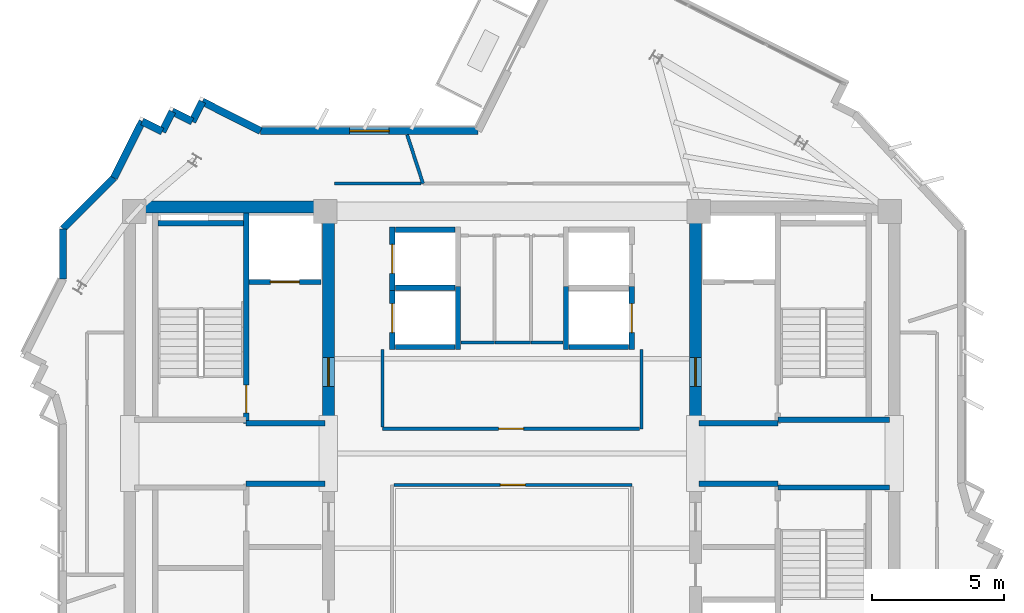
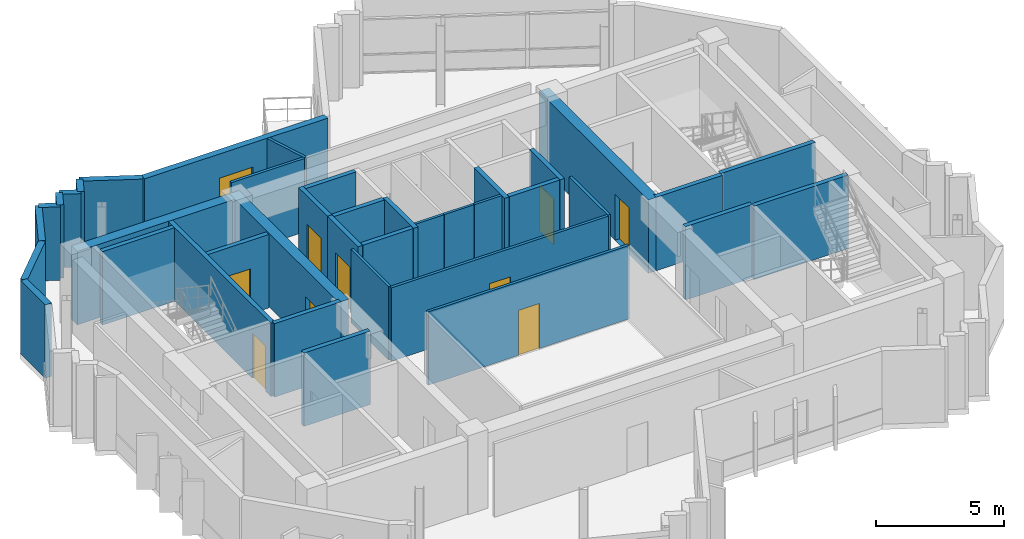
# One storey, part 7 of 11: 39 walls, 9 doors, 1 window, 10 openings.
"""IFC4 building model written with IfcOpenShell, lengths in metres."""

from ifc_helpers import new_model, si_unit, direction, frame, frame_2d, origin, place, context, subcontext, project, spatial, rectangle, extrude, source, transform, mapped, material, layer, layer_set, type_object, element, fill, save


model = new_model("IFC4")

# Units and contexts
model_context = context("Model", 3, precision=1e-05, world=origin(), true_north=direction((0.0, 1.0)))
body_context = subcontext(model_context, "Body", "Model", "MODEL_VIEW")
ifc_project = project(units=[si_unit("LENGTHUNIT", "METRE"), si_unit("AREAUNIT", "SQUARE_METRE"), si_unit("VOLUMEUNIT", "CUBIC_METRE"), si_unit("PLANEANGLEUNIT", "RADIAN"), si_unit("MASSUNIT", "GRAM", prefix="KILO")], contexts=[model_context])

# Site, building, storey
site_placement = place(None, origin())
site = spatial("IfcSite", under=ifc_project, at=site_placement, CompositionType="ELEMENT")
building_placement = place(site_placement, origin())
building = spatial("IfcBuilding", under=site, at=building_placement, Name="Zahravan Cultural Tower", CompositionType="ELEMENT")
storey_placement = place(building_placement, frame((0.0, 0.0, 353.550048828125)))
storey = spatial("IfcBuildingStorey", under=building, at=storey_placement, Name="L86", CompositionType="ELEMENT", Elevation=353.550048828125)

# Wall, opening, door
ifc_material_1 = material(Name="Concrete C50/60", Category="concrete")
ifc_layer_1 = layer(ifc_material_1, 0.449951171875)
ifc_layer_set_1 = layer_set([ifc_layer_1], Name="Concrete C50/60")
wall_type_1 = type_object("IfcWallType", Name="CW-SHEAR-450-C50", PredefinedType="SHEAR", material=ifc_layer_set_1)
wall_1_placement = place(storey_placement, frame((29.02490234375, 28.050048828125, 0.0), z_axis=(0.0, 0.0, 1.0), x_axis=(0.0, 1.0, 0.0)))
wall_1 = element("IfcWall", 1, at=wall_1_placement, inside=storey, type_object=wall_type_1, Name="L86 Core Shear Wall CW-W-EN-L86", PredefinedType="SHEAR", context=body_context, shape_type="SweptSolid", body=[
    extrude(rectangle(XDim=8.550048828125, YDim=0.449951171875, at=frame_2d((4.27490234375, 0.0))), origin(), (0.0, 0.0, 1.0), 3.5),
])
opening_1_placement = place(wall_1_placement, frame((1.5, 0.0, 0.0)))
opening_1 = element("IfcOpeningElement", 2, at=opening_1_placement, cuts=wall_1, Name="Opening D-L86-06", PredefinedType="OPENING", context=body_context, shape_type="SweptSolid", body=[
    extrude(rectangle(XDim=1.10009765625, YDim=2.199951171875, at=frame_2d((0.550048828125, 1.10009765625))), frame((0.0, 0.23486328125, 0.0), z_axis=(0.0, -1.0, 0.0), x_axis=(1.0, 0.0, 0.0)), (0.0, 0.0, 1.0), 0.469970703125),
])
ifc_material_2 = material(Name="Steel ASTM A572 Grade 50", Category="steel")
door_type_1 = type_object("IfcDoorType", Name="DR-LOBBY-1100", OperationType="NOTDEFINED", PredefinedType="DOOR", material=ifc_material_2)
shared_shape_1 = source(origin(), body_context, "Body", "SweptSolid", [
    extrude(rectangle(XDim=1.10009765625, YDim=2.199951171875, at=frame_2d((0.550048828125, 1.10009765625))), frame((0.0, 0.02490234375, 0.0), z_axis=(0.0, -1.0, 0.0), x_axis=(1.0, 0.0, 0.0)), (0.0, 0.0, 1.0), 0.050048828125),
])
door_1_placement = place(opening_1_placement, origin())
door_1 = element("IfcDoor", 3, at=door_1_placement, inside=storey, type_object=door_type_1, Name="L86 Door D-L86-06", OperationType="SINGLE_SWING_RIGHT", OverallHeight=2.199951171875, OverallWidth=1.10009765625, PredefinedType="DOOR", context=body_context, shape_type="MappedRepresentation", body=[
    mapped(shared_shape_1, transform((0.0, 0.0, 0.0), x_axis=(1.0, 0.0, 0.0), y_axis=(0.0, 1.0, 0.0), z_axis=(0.0, 0.0, 1.0), scale=1.0)),
])
fill(opening_1, door_1)

wall_2_placement = place(storey_placement, frame((42.97509765625, 28.050048828125, 0.0), z_axis=(0.0, 0.0, 1.0), x_axis=(0.0, 1.0, 0.0)))
wall_2 = element("IfcWall", 4, at=wall_2_placement, inside=storey, type_object=wall_type_1, Name="L86 Core Shear Wall CW-E-WN-L86", PredefinedType="SHEAR", context=body_context, shape_type="SweptSolid", body=[
    extrude(rectangle(XDim=8.550048828125, YDim=0.449951171875, at=frame_2d((4.27490234375, 0.0))), origin(), (0.0, 0.0, 1.0), 3.5),
])
opening_2_placement = place(wall_2_placement, frame((1.5, 0.0, 0.0)))
opening_2 = element("IfcOpeningElement", 5, at=opening_2_placement, cuts=wall_2, Name="Opening D-L86-07", PredefinedType="OPENING", context=body_context, shape_type="SweptSolid", body=[
    extrude(rectangle(XDim=1.10009765625, YDim=2.199951171875, at=frame_2d((0.550048828125, 1.10009765625))), frame((0.0, 0.23486328125, 0.0), z_axis=(0.0, -1.0, 0.0), x_axis=(1.0, 0.0, 0.0)), (0.0, 0.0, 1.0), 0.469970703125),
])
door_2_placement = place(opening_2_placement, origin())
door_2 = element("IfcDoor", 6, at=door_2_placement, inside=storey, type_object=door_type_1, Name="L86 Door D-L86-07", OperationType="SINGLE_SWING_LEFT", OverallHeight=2.199951171875, OverallWidth=1.10009765625, PredefinedType="DOOR", context=body_context, shape_type="MappedRepresentation", body=[
    mapped(shared_shape_1, transform((0.0, 0.0, 0.0), x_axis=(1.0, 0.0, 0.0), y_axis=(0.0, 1.0, 0.0), z_axis=(0.0, 0.0, 1.0), scale=1.0)),
])
fill(opening_2, door_2)

# Wall, opening, window
ifc_material_3 = material(Name="Precast concrete C40/50", Category="concrete")
ifc_layer_2 = layer(ifc_material_3, 0.280029296875)
ifc_layer_set_2 = layer_set([ifc_layer_2], Name="Precast concrete C40/50")
wall_type_2 = type_object("IfcWallType", Name="EW-TC-280", PredefinedType="SOLIDWALL", material=ifc_layer_set_2)
wall_3_placement = place(storey_placement, frame((26.4462890625, 39.260009765625, 0.0), z_axis=(0.0, 0.0, 1.0), x_axis=(1.0, 0.0, 0.0)))
wall_3 = element("IfcWall", 7, at=wall_3_placement, inside=storey, type_object=wall_type_2, Name="L86 Exterior Masonry Frame Wall 46", PredefinedType="SOLIDWALL", context=body_context, shape_type="SweptSolid", body=[
    extrude(rectangle(XDim=8.264892578125, YDim=0.280029296875, at=frame_2d((4.13232421875, 0.0))), origin(), (0.0, 0.0, 1.0), 3.5),
])
opening_3_placement = place(wall_3_placement, frame((3.382080078125, 0.0, 0.85009765625)))
opening_3 = element("IfcOpeningElement", 8, at=opening_3_placement, cuts=wall_3, Name="Opening WN-03", PredefinedType="OPENING", context=body_context, shape_type="SweptSolid", body=[
    extrude(rectangle(XDim=1.5, YDim=1.5, at=frame_2d((0.75, 0.75))), frame((0.0, 0.14990234375, 0.0), z_axis=(0.0, -1.0, 0.0), x_axis=(1.0, 0.0, 0.0)), (0.0, 0.0, 1.0), 0.300048828125),
])
ifc_material_4 = material(Name="Low-E solar-control double glazing", Category="glass")
window_type = type_object("IfcWindowType", Name="WN-REC-1500X1500", PartitioningType="SINGLE_PANEL", PredefinedType="WINDOW", material=ifc_material_4)
shared_shape_2 = source(origin(), body_context, "Body", "SweptSolid", [
    extrude(rectangle(XDim=1.5, YDim=1.5, at=frame_2d((0.75, 0.75))), frame((0.0, 0.030029296875, 0.0), z_axis=(0.0, -1.0, 0.0), x_axis=(1.0, 0.0, 0.0)), (0.0, 0.0, 1.0), 0.06005859375),
])
window_placement = place(opening_3_placement, origin())
window = element("IfcWindow", 9, at=window_placement, inside=storey, type_object=window_type, Name="L86 Recessed Solar Window 07", OverallHeight=1.5, OverallWidth=1.5, PartitioningType="SINGLE_PANEL", PredefinedType="WINDOW", context=body_context, shape_type="MappedRepresentation", body=[
    mapped(shared_shape_2, transform((0.0, 0.0, 0.0), x_axis=(1.0, 0.0, 0.0), y_axis=(0.0, 1.0, 0.0), z_axis=(0.0, 0.0, 1.0), scale=1.0)),
])
fill(opening_3, window)

# Wall, opening, door
ifc_material_5 = material(Name="Gypsum plasterboard partition")
ifc_layer_3 = layer(ifc_material_5, 0.125)
ifc_layer_set_3 = layer_set([ifc_layer_3], Name="Gypsum plasterboard partition")
wall_type_3 = type_object("IfcWallType", Name="W-PART-125", PredefinedType="PARTITIONING", material=ifc_layer_set_3)
wall_4_placement = place(storey_placement, frame((40.8525390625, 27.93994140625, 0.0), z_axis=(0.0, 0.0, 1.0), x_axis=(-1.0, 0.0, 0.0)))
wall_4 = element("IfcWall", 10, at=wall_4_placement, inside=storey, type_object=wall_type_3, Name="L86 Interior Wall 057", PredefinedType="PARTITIONING", context=body_context, shape_type="SweptSolid", body=[
    extrude(rectangle(XDim=9.7724609375, YDim=0.125, at=frame_2d((4.88623046875, 0.0))), origin(), (0.0, 0.0, 1.0), 3.5),
])
opening_4_placement = place(wall_4_placement, frame((4.411376953125, 0.0, 0.0)))
opening_4 = element("IfcOpeningElement", 11, at=opening_4_placement, cuts=wall_4, Name="Opening D-L86-16", PredefinedType="OPENING", context=body_context, shape_type="SweptSolid", body=[
    extrude(rectangle(XDim=0.949951171875, YDim=2.14990234375, at=frame_2d((0.47509765625, 1.074951171875))), frame((0.0, 0.072509765625, 0.0), z_axis=(0.0, -1.0, 0.0), x_axis=(1.0, 0.0, 0.0)), (0.0, 0.0, 1.0), 0.14501953125),
])
ifc_material_6 = material(Name="Anodised bronze-aluminium mullion", Category="aluminium")
door_type_2 = type_object("IfcDoorType", Name="DR-ROOM-950", OperationType="NOTDEFINED", PredefinedType="DOOR", material=ifc_material_6)
shared_shape_3 = source(origin(), body_context, "Body", "SweptSolid", [
    extrude(rectangle(XDim=0.949951171875, YDim=2.14990234375, at=frame_2d((0.47509765625, 1.074951171875))), frame((0.0, 0.02490234375, 0.0), z_axis=(0.0, -1.0, 0.0), x_axis=(1.0, 0.0, 0.0)), (0.0, 0.0, 1.0), 0.050048828125),
])
door_3_placement = place(opening_4_placement, origin())
door_3 = element("IfcDoor", 12, at=door_3_placement, inside=storey, type_object=door_type_2, Name="L86 Door D-L86-16", OperationType="SINGLE_SWING_RIGHT", OverallHeight=2.14990234375, OverallWidth=0.949951171875, PredefinedType="DOOR", context=body_context, shape_type="MappedRepresentation", body=[
    mapped(shared_shape_3, transform((0.0, 0.0, 0.0), x_axis=(1.0, 0.0, 0.0), y_axis=(0.0, 1.0, 0.0), z_axis=(0.0, 0.0, 1.0), scale=1.0)),
])
fill(opening_4, door_3)

wall_5_placement = place(storey_placement, frame((31.507568359375, 25.81005859375, 0.0), z_axis=(0.0, 0.0, 1.0), x_axis=(1.0, 0.0, 0.0)))
wall_5 = element("IfcWall", 13, at=wall_5_placement, inside=storey, type_object=wall_type_3, Name="L86 Interior Wall 071", PredefinedType="PARTITIONING", context=body_context, shape_type="SweptSolid", body=[
    extrude(rectangle(XDim=9.052490234375, YDim=0.125, at=frame_2d((4.5263671875, 0.0))), origin(), (0.0, 0.0, 1.0), 3.5),
])
opening_5_placement = place(wall_5_placement, frame((4.05126953125, 0.0, 0.0)))
opening_5 = element("IfcOpeningElement", 14, at=opening_5_placement, cuts=wall_5, Name="Opening D-L86-12", PredefinedType="OPENING", context=body_context, shape_type="SweptSolid", body=[
    extrude(rectangle(XDim=0.949951171875, YDim=2.14990234375, at=frame_2d((0.47509765625, 1.074951171875))), frame((0.0, 0.072509765625, 0.0), z_axis=(0.0, -1.0, 0.0), x_axis=(1.0, 0.0, 0.0)), (0.0, 0.0, 1.0), 0.14501953125),
])
door_4_placement = place(opening_5_placement, origin())
door_4 = element("IfcDoor", 15, at=door_4_placement, inside=storey, type_object=door_type_2, Name="L86 Door D-L86-12", OperationType="SINGLE_SWING_RIGHT", OverallHeight=2.14990234375, OverallWidth=0.949951171875, PredefinedType="DOOR", context=body_context, shape_type="MappedRepresentation", body=[
    mapped(shared_shape_3, transform((0.0, 0.0, 0.0), x_axis=(1.0, 0.0, 0.0), y_axis=(0.0, 1.0, 0.0), z_axis=(0.0, 0.0, 1.0), scale=1.0)),
])
fill(opening_5, door_4)

ifc_material_7 = material(Name="Concrete C45/55", Category="concrete")
ifc_layer_4 = layer(ifc_material_7, 0.199951171875)
ifc_layer_set_4 = layer_set([ifc_layer_4], Name="Concrete C45/55")
wall_type_4 = type_object("IfcWallType", Name="W-SHAFT-200", PredefinedType="SOLIDWALL", material=ifc_layer_set_4)
wall_6_placement = place(storey_placement, frame((25.89990234375, 28.14990234375, 0.0), z_axis=(0.0, 0.0, 1.0), x_axis=(0.0, 1.0, 0.0)))
wall_6 = element("IfcWall", 16, at=wall_6_placement, inside=storey, type_object=wall_type_4, Name="L86 Interior Wall 006", PredefinedType="SOLIDWALL", context=body_context, shape_type="SweptSolid", body=[
    extrude(rectangle(XDim=8.0, YDim=0.199951171875, at=frame_2d((4.0, 0.0))), origin(), (0.0, 0.0, 1.0), 3.5),
])
opening_6_placement = place(wall_6_placement, frame((0.39990234375, 0.0, 0.0)))
opening_6 = element("IfcOpeningElement", 17, at=opening_6_placement, cuts=wall_6, Name="Opening D-L86-01", PredefinedType="OPENING", context=body_context, shape_type="SweptSolid", body=[
    extrude(rectangle(XDim=1.050048828125, YDim=2.14990234375, at=frame_2d((0.52490234375, 1.074951171875))), frame((0.0, 0.10986328125, 0.0), z_axis=(0.0, -1.0, 0.0), x_axis=(1.0, 0.0, 0.0)), (0.0, 0.0, 1.0), 0.219970703125),
])
door_type_3 = type_object("IfcDoorType", Name="DR-STAIR-1050", OperationType="NOTDEFINED", PredefinedType="DOOR", material=ifc_material_2)
shared_shape_4 = source(origin(), body_context, "Body", "SweptSolid", [
    extrude(rectangle(XDim=1.050048828125, YDim=2.14990234375, at=frame_2d((0.52490234375, 1.074951171875))), frame((0.0, 0.02490234375, 0.0), z_axis=(0.0, -1.0, 0.0), x_axis=(1.0, 0.0, 0.0)), (0.0, 0.0, 1.0), 0.050048828125),
])
door_5_placement = place(opening_6_placement, origin())
door_5 = element("IfcDoor", 18, at=door_5_placement, inside=storey, type_object=door_type_3, Name="L86 Door D-L86-01", OperationType="SINGLE_SWING_LEFT", OverallHeight=2.14990234375, OverallWidth=1.050048828125, PredefinedType="DOOR", context=body_context, shape_type="MappedRepresentation", body=[
    mapped(shared_shape_4, transform((0.0, 0.0, 0.0), x_axis=(1.0, 0.0, 0.0), y_axis=(0.0, 1.0, 0.0), z_axis=(0.0, 0.0, 1.0), scale=1.0)),
])
fill(opening_6, door_5)

wall_7_placement = place(storey_placement, frame((26.0, 33.52001953125, 0.0), z_axis=(0.0, 0.0, 1.0), x_axis=(1.0, 0.0, 0.0)))
wall_7 = element("IfcWall", 19, at=wall_7_placement, inside=storey, type_object=wall_type_4, Name="L86 Interior Wall 022", PredefinedType="SOLIDWALL", context=body_context, shape_type="SweptSolid", body=[
    extrude(rectangle(XDim=2.75, YDim=0.199951171875, at=frame_2d((1.375, 0.0))), origin(), (0.0, 0.0, 1.0), 3.5),
])
opening_7_placement = place(wall_7_placement, frame((0.820068359375, 0.0, 0.0)))
opening_7 = element("IfcOpeningElement", 20, at=opening_7_placement, cuts=wall_7, Name="Opening LD-L86-01", PredefinedType="OPENING", context=body_context, shape_type="SweptSolid", body=[
    extrude(rectangle(XDim=1.10009765625, YDim=2.14990234375, at=frame_2d((0.550048828125, 1.074951171875))), frame((0.0, 0.10986328125, 0.0), z_axis=(0.0, -1.0, 0.0), x_axis=(1.0, 0.0, 0.0)), (0.0, 0.0, 1.0), 0.219970703125),
])
door_type_4 = type_object("IfcDoorType", Name="DR-LIFT-1100", OperationType="DOUBLE_DOOR_SLIDING", PredefinedType="DOOR", material=ifc_material_2)
shared_shape_5 = source(origin(), body_context, "Body", "SweptSolid", [
    extrude(rectangle(XDim=1.10009765625, YDim=2.14990234375, at=frame_2d((0.550048828125, 1.074951171875))), frame((0.0, 0.02490234375, 0.0), z_axis=(0.0, -1.0, 0.0), x_axis=(1.0, 0.0, 0.0)), (0.0, 0.0, 1.0), 0.050048828125),
])
door_6_placement = place(opening_7_placement, origin())
door_6 = element("IfcDoor", 21, at=door_6_placement, inside=storey, type_object=door_type_4, Name="L86 Door LD-L86-01", OperationType="DOUBLE_DOOR_SLIDING", OverallHeight=2.14990234375, OverallWidth=1.10009765625, PredefinedType="DOOR", context=body_context, shape_type="MappedRepresentation", body=[
    mapped(shared_shape_5, transform((0.0, 0.0, 0.0), x_axis=(1.0, 0.0, 0.0), y_axis=(0.0, 1.0, 0.0), z_axis=(0.0, 0.0, 1.0), scale=1.0)),
])
fill(opening_7, door_6)

wall_8_placement = place(storey_placement, frame((31.449951171875, 33.199951171875, 0.0), z_axis=(0.0, 0.0, 1.0), x_axis=(0.0, 1.0, 0.0)))
wall_8 = element("IfcWall", 22, at=wall_8_placement, inside=storey, type_object=wall_type_4, Name="L86 Interior Wall 027", PredefinedType="SOLIDWALL", context=body_context, shape_type="SweptSolid", body=[
    extrude(rectangle(XDim=2.400146484375, YDim=0.199951171875, at=frame_2d((1.2001953125, 0.0))), origin(), (0.0, 0.0, 1.0), 3.5),
])
opening_8_placement = place(wall_8_placement, frame((0.64990234375, 0.0, 0.0)))
opening_8 = element("IfcOpeningElement", 23, at=opening_8_placement, cuts=wall_8, Name="Opening LD-L86-04", PredefinedType="OPENING", context=body_context, shape_type="SweptSolid", body=[
    extrude(rectangle(XDim=1.10009765625, YDim=2.14990234375, at=frame_2d((0.550048828125, 1.074951171875))), frame((0.0, 0.10986328125, 0.0), z_axis=(0.0, -1.0, 0.0), x_axis=(1.0, 0.0, 0.0)), (0.0, 0.0, 1.0), 0.219970703125),
])
door_7_placement = place(opening_8_placement, origin())
door_7 = element("IfcDoor", 24, at=door_7_placement, inside=storey, type_object=door_type_4, Name="L86 Door LD-L86-04", OperationType="DOUBLE_DOOR_SLIDING", OverallHeight=2.14990234375, OverallWidth=1.10009765625, PredefinedType="DOOR", context=body_context, shape_type="MappedRepresentation", body=[
    mapped(shared_shape_5, transform((0.0, 0.0, 0.0), x_axis=(1.0, 0.0, 0.0), y_axis=(0.0, 1.0, 0.0), z_axis=(0.0, 0.0, 1.0), scale=1.0)),
])
fill(opening_8, door_7)

wall_9_placement = place(storey_placement, frame((31.449951171875, 30.949951171875, 0.0), z_axis=(0.0, 0.0, 1.0), x_axis=(0.0, 1.0, 0.0)))
wall_9 = element("IfcWall", 25, at=wall_9_placement, inside=storey, type_object=wall_type_4, Name="L86 Interior Wall 031", PredefinedType="SOLIDWALL", context=body_context, shape_type="SweptSolid", body=[
    extrude(rectangle(XDim=2.400146484375, YDim=0.199951171875, at=frame_2d((1.2001953125, 0.0))), origin(), (0.0, 0.0, 1.0), 3.5),
])
opening_9_placement = place(wall_9_placement, frame((0.64990234375, 0.0, 0.0)))
opening_9 = element("IfcOpeningElement", 26, at=opening_9_placement, cuts=wall_9, Name="Opening LD-L86-05", PredefinedType="OPENING", context=body_context, shape_type="SweptSolid", body=[
    extrude(rectangle(XDim=1.10009765625, YDim=2.14990234375, at=frame_2d((0.550048828125, 1.074951171875))), frame((0.0, 0.10986328125, 0.0), z_axis=(0.0, -1.0, 0.0), x_axis=(1.0, 0.0, 0.0)), (0.0, 0.0, 1.0), 0.219970703125),
])
door_8_placement = place(opening_9_placement, origin())
door_8 = element("IfcDoor", 27, at=door_8_placement, inside=storey, type_object=door_type_4, Name="L86 Door LD-L86-05", OperationType="DOUBLE_DOOR_SLIDING", OverallHeight=2.14990234375, OverallWidth=1.10009765625, PredefinedType="DOOR", context=body_context, shape_type="MappedRepresentation", body=[
    mapped(shared_shape_5, transform((0.0, 0.0, 0.0), x_axis=(1.0, 0.0, 0.0), y_axis=(0.0, 1.0, 0.0), z_axis=(0.0, 0.0, 1.0), scale=1.0)),
])
fill(opening_9, door_8)

wall_10_placement = place(storey_placement, frame((40.550048828125, 30.949951171875, 0.0), z_axis=(0.0, 0.0, 1.0), x_axis=(0.0, 1.0, 0.0)))
wall_10 = element("IfcWall", 28, at=wall_10_placement, inside=storey, type_object=wall_type_4, Name="L86 Interior Wall 039", PredefinedType="SOLIDWALL", context=body_context, shape_type="SweptSolid", body=[
    extrude(rectangle(XDim=2.400146484375, YDim=0.199951171875, at=frame_2d((1.2001953125, 0.0))), origin(), (0.0, 0.0, 1.0), 3.5),
])
opening_10_placement = place(wall_10_placement, frame((0.64990234375, 0.0, 0.0)))
opening_10 = element("IfcOpeningElement", 29, at=opening_10_placement, cuts=wall_10, Name="Opening LD-L86-07", PredefinedType="OPENING", context=body_context, shape_type="SweptSolid", body=[
    extrude(rectangle(XDim=1.10009765625, YDim=2.14990234375, at=frame_2d((0.550048828125, 1.074951171875))), frame((0.0, 0.10986328125, 0.0), z_axis=(0.0, -1.0, 0.0), x_axis=(1.0, 0.0, 0.0)), (0.0, 0.0, 1.0), 0.219970703125),
])
door_9_placement = place(opening_10_placement, origin())
door_9 = element("IfcDoor", 30, at=door_9_placement, inside=storey, type_object=door_type_4, Name="L86 Door LD-L86-07", OperationType="DOUBLE_DOOR_SLIDING", OverallHeight=2.14990234375, OverallWidth=1.10009765625, PredefinedType="DOOR", context=body_context, shape_type="MappedRepresentation", body=[
    mapped(shared_shape_5, transform((0.0, 0.0, 0.0), x_axis=(1.0, 0.0, 0.0), y_axis=(0.0, 1.0, 0.0), z_axis=(0.0, 0.0, 1.0), scale=1.0)),
])
fill(opening_10, door_9)

# Walls
shared_shape_6 = source(origin(), body_context, "Body", "SweptSolid", [
    extrude(rectangle(XDim=7.10009765625, YDim=0.449951171875, at=frame_2d((3.550048828125, 0.0))), origin(), (0.0, 0.0, 1.0), 3.5),
])
wall_11_placement = place(storey_placement, frame((21.699951171875, 36.375, 0.0), z_axis=(0.0, 0.0, 1.0), x_axis=(1.0, 0.0, 0.0)))
element("IfcWall", 31, at=wall_11_placement, inside=storey, type_object=wall_type_1, Name="L86 Core Shear Wall CW-W-N-L86", PredefinedType="SHEAR", context=body_context, shape_type="MappedRepresentation", body=[
    mapped(shared_shape_6, transform((0.0, 0.0, 0.0), x_axis=(1.0, 0.0, 0.0), y_axis=(0.0, 1.0, 0.0), z_axis=(0.0, 0.0, 1.0), scale=1.0)),
])
shared_shape_7 = source(origin(), body_context, "Body", "SweptSolid", [
    extrude(rectangle(XDim=0.85009765625, YDim=0.280029296875, at=frame_2d((0.425048828125, 0.0))), origin(), (0.0, 0.0, 1.0), 3.5),
])
wall_12_placement = place(storey_placement, frame((22.710693359375, 39.23583984375, 0.0), z_axis=(0.0, 0.0, 1.0), x_axis=(0.449509934066, 0.893275332233, 0.0)))
element("IfcWall", 32, at=wall_12_placement, inside=storey, type_object=wall_type_2, Name="L86 Exterior Masonry Frame Wall 42", PredefinedType="SOLIDWALL", context=body_context, shape_type="MappedRepresentation", body=[
    mapped(shared_shape_7, transform((0.0, 0.0, 0.0), x_axis=(1.0, 0.0, 0.0), y_axis=(0.0, 1.0, 0.0), z_axis=(0.0, 0.0, 1.0), scale=1.0)),
])
shared_shape_8 = source(origin(), body_context, "Body", "SweptSolid", [
    extrude(rectangle(XDim=0.849853515625, YDim=0.280029296875, at=frame_2d((0.4248046875, 0.0))), origin(), (0.0, 0.0, 1.0), 3.5),
])
for number, where, z_axis, x_axis, name in (
    (33, (21.951416015625, 39.61767578125, 0.0), (0.0, 0.0, 1.0), (0.89339064965, -0.449280699695, 0.0), "L86 Exterior Masonry Frame Wall 41"),
    (34, (23.0927734375, 39.9951171875, 0.0), (0.0, 0.0, 1.0), (0.89339064965, -0.449280699695, 0.0), "L86 Exterior Masonry Frame Wall 43"),
    (35, (23.85205078125, 39.61328125, 0.0), (0.0, 0.0, 1.0), (0.449280699695, 0.89339064965, 0.0), "L86 Exterior Masonry Frame Wall 44"),
):
    element("IfcWall", number, at=place(storey_placement, frame(where, z_axis=z_axis, x_axis=x_axis)), inside=storey, type_object=wall_type_2, Name=name, PredefinedType="SOLIDWALL", context=body_context, shape_type="MappedRepresentation", body=[
        mapped(shared_shape_8, transform((0.0, 0.0, 0.0), x_axis=(1.0, 0.0, 0.0), y_axis=(0.0, 1.0, 0.0), z_axis=(0.0, 0.0, 1.0), scale=1.0)),
    ])
shared_shape_9 = source(origin(), body_context, "Body", "SweptSolid", [
    extrude(rectangle(XDim=1.911865234375, YDim=0.280029296875, at=frame_2d((0.9560546875, 0.0))), origin(), (0.0, 0.0, 1.0), 3.5),
])
wall_13_placement = place(storey_placement, frame((18.93994140625, 33.630126953125, 0.0), z_axis=(0.0, 0.0, 1.0), x_axis=(0.0, 1.0, 0.0)))
element("IfcWall", 36, at=wall_13_placement, inside=storey, type_object=wall_type_2, Name="L86 Exterior Masonry Frame Wall 38", PredefinedType="SOLIDWALL", context=body_context, shape_type="MappedRepresentation", body=[
    mapped(shared_shape_9, transform((0.0, 0.0, 0.0), x_axis=(1.0, 0.0, 0.0), y_axis=(0.0, 1.0, 0.0), z_axis=(0.0, 0.0, 1.0), scale=1.0)),
])
shared_shape_10 = source(origin(), body_context, "Body", "SweptSolid", [
    extrude(rectangle(XDim=2.73583984375, YDim=0.280029296875, at=frame_2d((1.367919921875, 0.0))), origin(), (0.0, 0.0, 1.0), 3.5),
])
wall_14_placement = place(storey_placement, frame((18.93994140625, 35.5419921875, 0.0), z_axis=(0.0, 0.0, 1.0), x_axis=(0.707106781187, 0.707106781187, 0.0)))
element("IfcWall", 37, at=wall_14_placement, inside=storey, type_object=wall_type_2, Name="L86 Exterior Masonry Frame Wall 39", PredefinedType="SOLIDWALL", context=body_context, shape_type="MappedRepresentation", body=[
    mapped(shared_shape_10, transform((0.0, 0.0, 0.0), x_axis=(1.0, 0.0, 0.0), y_axis=(0.0, 1.0, 0.0), z_axis=(0.0, 0.0, 1.0), scale=1.0)),
])
shared_shape_11 = source(origin(), body_context, "Body", "SweptSolid", [
    extrude(rectangle(XDim=2.396728515625, YDim=0.280029296875, at=frame_2d((1.1982421875, 0.0))), origin(), (0.0, 0.0, 1.0), 3.5),
])
wall_15_placement = place(storey_placement, frame((20.87451171875, 37.4765625, 0.0), z_axis=(0.0, 0.0, 1.0), x_axis=(0.449331154558, 0.893365274422, 0.0)))
element("IfcWall", 38, at=wall_15_placement, inside=storey, type_object=wall_type_2, Name="L86 Exterior Masonry Frame Wall 40", PredefinedType="SOLIDWALL", context=body_context, shape_type="MappedRepresentation", body=[
    mapped(shared_shape_11, transform((0.0, 0.0, 0.0), x_axis=(1.0, 0.0, 0.0), y_axis=(0.0, 1.0, 0.0), z_axis=(0.0, 0.0, 1.0), scale=1.0)),
])
shared_shape_12 = source(origin(), body_context, "Body", "SweptSolid", [
    extrude(rectangle(XDim=2.476318359375, YDim=0.280029296875, at=frame_2d((1.23828125, 0.0))), origin(), (0.0, 0.0, 1.0), 3.5),
])
wall_16_placement = place(storey_placement, frame((24.23388671875, 40.37255859375, 0.0), z_axis=(0.0, 0.0, 1.0), x_axis=(0.893399530761, -0.449263039249, 0.0)))
element("IfcWall", 39, at=wall_16_placement, inside=storey, type_object=wall_type_2, Name="L86 Exterior Masonry Frame Wall 45", PredefinedType="SOLIDWALL", context=body_context, shape_type="MappedRepresentation", body=[
    mapped(shared_shape_12, transform((0.0, 0.0, 0.0), x_axis=(1.0, 0.0, 0.0), y_axis=(0.0, 1.0, 0.0), z_axis=(0.0, 0.0, 1.0), scale=1.0)),
])
shared_shape_13 = source(origin(), body_context, "Body", "SweptSolid", [
    extrude(rectangle(XDim=4.25, YDim=0.199951171875, at=frame_2d((2.125, 0.0))), origin(), (0.0, 0.0, 1.0), 3.5),
])
for number, where, z_axis, x_axis, name in (
    (40, (46.10009765625, 25.715087890625, 0.0), (0.0, 0.0, 1.0), (1.0, 0.0, 0.0), "L86 Interior Wall 014"),
    (41, (46.10009765625, 28.284912109375, 0.0), (0.0, 0.0, 1.0), (1.0, 0.0, 0.0), "L86 Interior Wall 016"),
):
    element("IfcWall", number, at=place(storey_placement, frame(where, z_axis=z_axis, x_axis=x_axis)), inside=storey, type_object=wall_type_4, Name=name, PredefinedType="SOLIDWALL", context=body_context, shape_type="MappedRepresentation", body=[
        mapped(shared_shape_13, transform((0.0, 0.0, 0.0), x_axis=(1.0, 0.0, 0.0), y_axis=(0.0, 1.0, 0.0), z_axis=(0.0, 0.0, 1.0), scale=1.0)),
    ])
shared_shape_14 = source(origin(), body_context, "Body", "SweptSolid", [
    extrude(rectangle(XDim=3.0, YDim=0.199951171875, at=frame_2d((1.5, 0.0))), origin(), (0.0, 0.0, 1.0), 3.5),
])
for number, where, z_axis, x_axis, name in (
    (42, (25.89990234375, 25.85009765625, 0.0), (0.0, 0.0, 1.0), (1.0, 0.0, 0.0), "L86 Interior Wall 010"),
    (43, (25.89990234375, 28.14990234375, 0.0), (0.0, 0.0, 1.0), (1.0, 0.0, 0.0), "L86 Interior Wall 012"),
    (44, (43.10009765625, 25.85009765625, 0.0), (0.0, 0.0, 1.0), (1.0, 0.0, 0.0), "L86 Interior Wall 013"),
    (45, (43.10009765625, 28.14990234375, 0.0), (0.0, 0.0, 1.0), (1.0, 0.0, 0.0), "L86 Interior Wall 015"),
):
    element("IfcWall", number, at=place(storey_placement, frame(where, z_axis=z_axis, x_axis=x_axis)), inside=storey, type_object=wall_type_4, Name=name, PredefinedType="SOLIDWALL", context=body_context, shape_type="MappedRepresentation", body=[
        mapped(shared_shape_14, transform((0.0, 0.0, 0.0), x_axis=(1.0, 0.0, 0.0), y_axis=(0.0, 1.0, 0.0), z_axis=(0.0, 0.0, 1.0), scale=1.0)),
    ])
shared_shape_15 = source(origin(), body_context, "Body", "SweptSolid", [
    extrude(rectangle(XDim=3.25, YDim=0.199951171875, at=frame_2d((1.625, 0.0))), origin(), (0.0, 0.0, 1.0), 3.5),
])
wall_17_placement = place(storey_placement, frame((22.550048828125, 35.75, 0.0), z_axis=(0.0, 0.0, 1.0), x_axis=(1.0, 0.0, 0.0)))
element("IfcWall", 46, at=wall_17_placement, inside=storey, type_object=wall_type_4, Name="L86 Interior Wall 017", PredefinedType="SOLIDWALL", context=body_context, shape_type="MappedRepresentation", body=[
    mapped(shared_shape_15, transform((0.0, 0.0, 0.0), x_axis=(1.0, 0.0, 0.0), y_axis=(0.0, 1.0, 0.0), z_axis=(0.0, 0.0, 1.0), scale=1.0)),
])
shared_shape_16 = source(origin(), body_context, "Body", "SweptSolid", [
    extrude(rectangle(XDim=2.400146484375, YDim=0.199951171875, at=frame_2d((1.2001953125, 0.0))), origin(), (0.0, 0.0, 1.0), 3.5),
])
for number, where, z_axis, x_axis, name in (
    (47, (33.949951171875, 30.949951171875, 0.0), (0.0, 0.0, 1.0), (0.0, 1.0, 0.0), "L86 Interior Wall 032"),
    (48, (38.050048828125, 30.949951171875, 0.0), (0.0, 0.0, 1.0), (0.0, 1.0, 0.0), "L86 Interior Wall 038"),
):
    element("IfcWall", number, at=place(storey_placement, frame(where, z_axis=z_axis, x_axis=x_axis)), inside=storey, type_object=wall_type_4, Name=name, PredefinedType="SOLIDWALL", context=body_context, shape_type="MappedRepresentation", body=[
        mapped(shared_shape_16, transform((0.0, 0.0, 0.0), x_axis=(1.0, 0.0, 0.0), y_axis=(0.0, 1.0, 0.0), z_axis=(0.0, 0.0, 1.0), scale=1.0)),
    ])
shared_shape_17 = source(origin(), body_context, "Body", "SweptSolid", [
    extrude(rectangle(XDim=2.260009765625, YDim=0.199951171875, at=frame_2d((1.1298828125, 0.0))), origin(), (0.0, 0.0, 1.0), 3.5),
])
for number, where, z_axis, x_axis, name in (
    (49, (31.570068359375, 33.300048828125, 0.0), (0.0, 0.0, 1.0), (1.0, 0.0, 0.0), "L86 Interior Wall 029"),
    (50, (31.570068359375, 35.5, 0.0), (0.0, 0.0, 1.0), (1.0, 0.0, 0.0), "L86 Interior Wall 030"),
    (51, (31.570068359375, 31.050048828125, 0.0), (0.0, 0.0, 1.0), (1.0, 0.0, 0.0), "L86 Interior Wall 033"),
    (52, (38.169921875, 31.050048828125, 0.0), (0.0, 0.0, 1.0), (1.0, 0.0, 0.0), "L86 Interior Wall 040"),
):
    element("IfcWall", number, at=place(storey_placement, frame(where, z_axis=z_axis, x_axis=x_axis)), inside=storey, type_object=wall_type_4, Name=name, PredefinedType="SOLIDWALL", context=body_context, shape_type="MappedRepresentation", body=[
        mapped(shared_shape_17, transform((0.0, 0.0, 0.0), x_axis=(1.0, 0.0, 0.0), y_axis=(0.0, 1.0, 0.0), z_axis=(0.0, 0.0, 1.0), scale=1.0)),
    ])
shared_shape_18 = source(origin(), body_context, "Body", "SweptSolid", [
    extrude(rectangle(XDim=2.9423828125, YDim=0.125, at=frame_2d((1.47119140625, 0.0))), origin(), (0.0, 0.0, 1.0), 3.5),
])
wall_18_placement = place(storey_placement, frame((31.080078125, 28.007568359375, 0.0), z_axis=(0.0, 0.0, 1.0), x_axis=(0.0, 1.0, 0.0)))
element("IfcWall", 53, at=wall_18_placement, inside=storey, type_object=wall_type_3, Name="L86 Interior Wall 058", PredefinedType="PARTITIONING", context=body_context, shape_type="MappedRepresentation", body=[
    mapped(shared_shape_18, transform((0.0, 0.0, 0.0), x_axis=(1.0, 0.0, 0.0), y_axis=(0.0, 1.0, 0.0), z_axis=(0.0, 0.0, 1.0), scale=1.0)),
])
shared_shape_19 = source(origin(), body_context, "Body", "SweptSolid", [
    extrude(rectangle(XDim=3.010009765625, YDim=0.125, at=frame_2d((1.5048828125, 0.0))), origin(), (0.0, 0.0, 1.0), 3.5),
])
wall_19_placement = place(storey_placement, frame((40.919921875, 30.949951171875, 0.0), z_axis=(0.0, 0.0, 1.0), x_axis=(0.0, -1.0, 0.0)))
element("IfcWall", 54, at=wall_19_placement, inside=storey, type_object=wall_type_3, Name="L86 Interior Wall 056", PredefinedType="PARTITIONING", context=body_context, shape_type="MappedRepresentation", body=[
    mapped(shared_shape_19, transform((0.0, 0.0, 0.0), x_axis=(1.0, 0.0, 0.0), y_axis=(0.0, 1.0, 0.0), z_axis=(0.0, 0.0, 1.0), scale=1.0)),
])
ifc_layer_5 = layer(ifc_material_5, 0.114990234375)
ifc_layer_set_5 = layer_set([ifc_layer_5], Name="Gypsum plasterboard partition")
wall_type_5 = type_object("IfcWallType", Name="W-WC-115", PredefinedType="PARTITIONING", material=ifc_layer_set_5)
shared_shape_20 = source(origin(), body_context, "Body", "SweptSolid", [
    extrude(rectangle(XDim=1.22509765625, YDim=0.114990234375, at=frame_2d((0.612548828125, 0.0))), origin(), (0.0, 0.0, 1.0), 3.5),
])
wall_20_placement = place(storey_placement, frame((37.945068359375, 31.219970703125, 0.0), z_axis=(0.0, 0.0, 1.0), x_axis=(-1.0, 0.0, 0.0)))
element("IfcWall", 55, at=wall_20_placement, inside=storey, type_object=wall_type_5, Name="L86 Interior Wall 041", PredefinedType="PARTITIONING", context=body_context, shape_type="MappedRepresentation", body=[
    mapped(shared_shape_20, transform((0.0, 0.0, 0.0), x_axis=(1.0, 0.0, 0.0), y_axis=(0.0, 1.0, 0.0), z_axis=(0.0, 0.0, 1.0), scale=1.0)),
])
shared_shape_21 = source(origin(), body_context, "Body", "SweptSolid", [
    extrude(rectangle(XDim=1.28515625, YDim=0.114990234375, at=frame_2d((0.642578125, 0.0))), origin(), (0.0, 0.0, 1.0), 3.5),
])
wall_21_placement = place(storey_placement, frame((35.340087890625, 31.219970703125, 0.0), z_axis=(0.0, 0.0, 1.0), x_axis=(-1.0, 0.0, 0.0)))
element("IfcWall", 56, at=wall_21_placement, inside=storey, type_object=wall_type_5, Name="L86 Interior Wall 044", PredefinedType="PARTITIONING", context=body_context, shape_type="MappedRepresentation", body=[
    mapped(shared_shape_21, transform((0.0, 0.0, 0.0), x_axis=(1.0, 0.0, 0.0), y_axis=(0.0, 1.0, 0.0), z_axis=(0.0, 0.0, 1.0), scale=1.0)),
])
shared_shape_22 = source(origin(), body_context, "Body", "SweptSolid", [
    extrude(rectangle(XDim=1.33984375, YDim=0.114990234375, at=frame_2d((0.669921875, 0.0))), origin(), (0.0, 0.0, 1.0), 3.5),
])
wall_22_placement = place(storey_placement, frame((36.699951171875, 31.219970703125, 0.0), z_axis=(0.0, 0.0, 1.0), x_axis=(-1.0, 0.0, 0.0)))
element("IfcWall", 57, at=wall_22_placement, inside=storey, type_object=wall_type_5, Name="L86 Interior Wall 047", PredefinedType="PARTITIONING", context=body_context, shape_type="MappedRepresentation", body=[
    mapped(shared_shape_22, transform((0.0, 0.0, 0.0), x_axis=(1.0, 0.0, 0.0), y_axis=(0.0, 1.0, 0.0), z_axis=(0.0, 0.0, 1.0), scale=1.0)),
])
shared_shape_23 = source(origin(), body_context, "Body", "SweptSolid", [
    extrude(rectangle(XDim=1.95068359375, YDim=0.125, at=frame_2d((0.975341796875, 0.0))), origin(), (0.0, 0.0, 1.0), 3.5),
])
wall_23_placement = place(storey_placement, frame((32.01611328125, 39.114990234375, 0.0), z_axis=(0.0, 0.0, 1.0), x_axis=(0.309499205232, -0.950899701315, 0.0)))
element("IfcWall", 58, at=wall_23_placement, inside=storey, type_object=wall_type_3, Name="L86 Interior Wall 065", PredefinedType="PARTITIONING", context=body_context, shape_type="MappedRepresentation", body=[
    mapped(shared_shape_23, transform((0.0, 0.0, 0.0), x_axis=(1.0, 0.0, 0.0), y_axis=(0.0, 1.0, 0.0), z_axis=(0.0, 0.0, 1.0), scale=1.0)),
])
shared_shape_24 = source(origin(), body_context, "Body", "SweptSolid", [
    extrude(rectangle(XDim=3.29296875, YDim=0.125, at=frame_2d((1.646484375, 0.0))), origin(), (0.0, 0.0, 1.0), 3.5),
])
wall_24_placement = place(storey_placement, frame((32.548828125, 37.260009765625, 0.0), z_axis=(0.0, 0.0, 1.0), x_axis=(-1.0, 0.0, 0.0)))
element("IfcWall", 59, at=wall_24_placement, inside=storey, type_object=wall_type_3, Name="L86 Interior Wall 066", PredefinedType="PARTITIONING", context=body_context, shape_type="MappedRepresentation", body=[
    mapped(shared_shape_24, transform((0.0, 0.0, 0.0), x_axis=(1.0, 0.0, 0.0), y_axis=(0.0, 1.0, 0.0), z_axis=(0.0, 0.0, 1.0), scale=1.0)),
])

save(model, "model.ifc")
